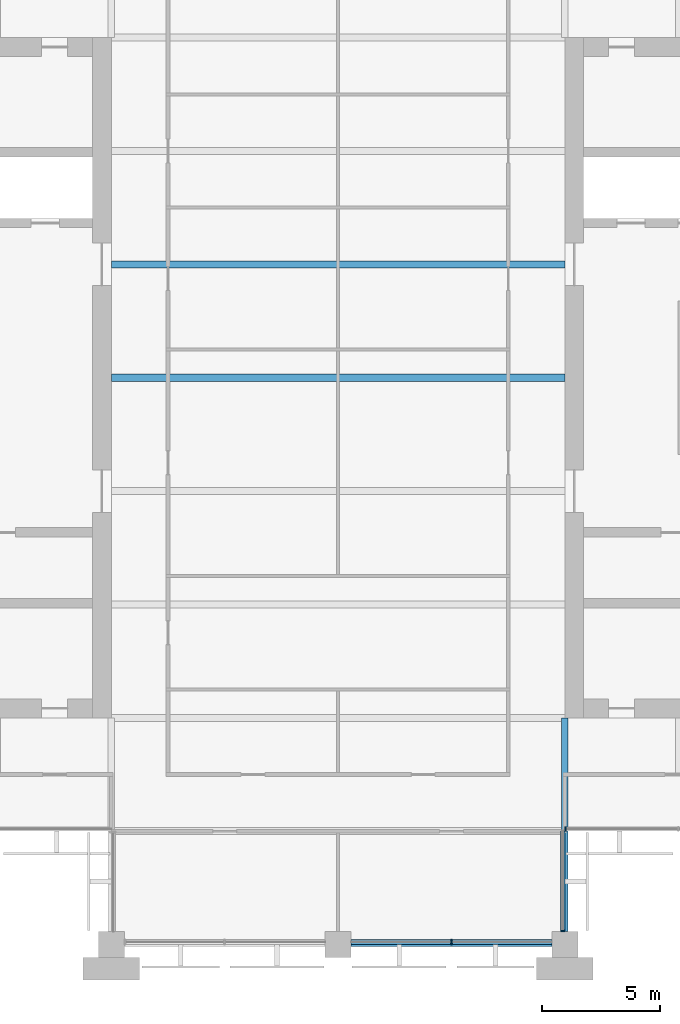
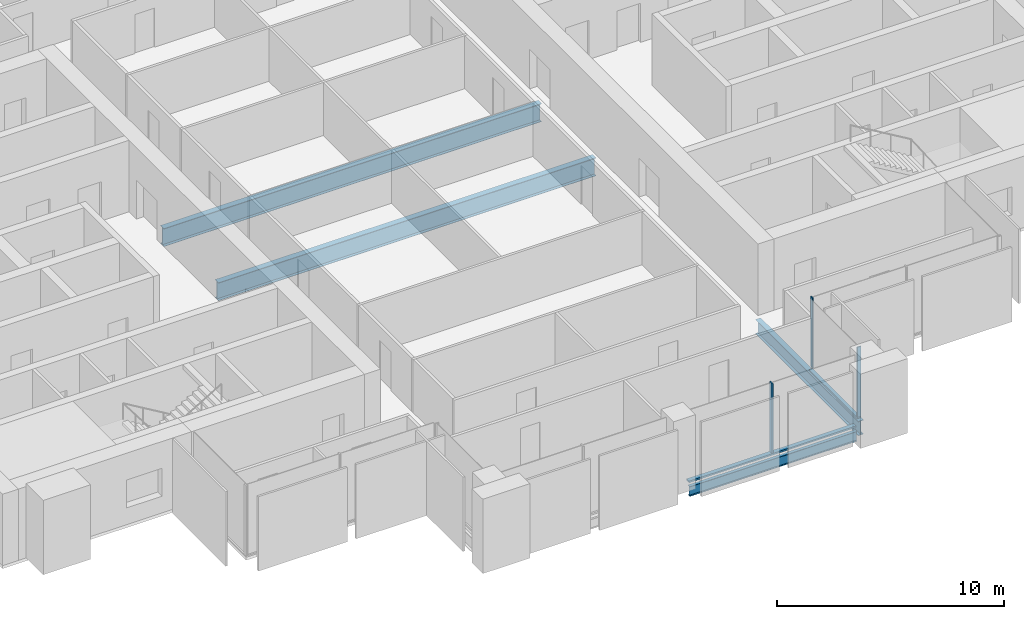
# One storey, part 3 of 13: 5 members, 4 beams, 3 elements without a shape of their own.
"""IFC4 building model written with IfcOpenShell, lengths in metres."""

from ifc_helpers import new_model, si_unit, direction, frame, origin, origin_2d, place, context, subcontext, project, spatial, rectangle, i_section, extrude, material, material_profile, profile_set, type_object, element, aggregate, save


model = new_model("IFC4")

# Units and contexts
model_context = context("Model", 3, precision=1e-05, world=origin(), true_north=direction((0.0, 1.0)))
body_context = subcontext(model_context, "Body", "Model", "MODEL_VIEW")
ifc_project = project(units=[si_unit("LENGTHUNIT", "METRE"), si_unit("AREAUNIT", "SQUARE_METRE"), si_unit("VOLUMEUNIT", "CUBIC_METRE"), si_unit("PLANEANGLEUNIT", "RADIAN"), si_unit("MASSUNIT", "GRAM", prefix="KILO")], contexts=[model_context])

# Site, building, storey
site_placement = place(None, origin())
site = spatial("IfcSite", under=ifc_project, at=site_placement, CompositionType="ELEMENT")
building_placement = place(site_placement, origin())
building = spatial("IfcBuilding", under=site, at=building_placement, Name="Baori Bourse Tower", CompositionType="ELEMENT")
storey_placement = place(building_placement, frame((0.0, 0.0, 205.199951171875)))
storey = spatial("IfcBuildingStorey", under=building, at=storey_placement, Name="L44", CompositionType="ELEMENT", Elevation=205.199951171875)

# Curtain wall, member
ifc_material_1 = material(Name="Pale anodised aluminium", Category="aluminium")
curtain_wall_type_1 = type_object("IfcCurtainWallType", Name="CW2 Curtain wall", PredefinedType="NOTDEFINED", material=ifc_material_1)
curtain_wall_1_placement = place(storey_placement, origin())
curtain_wall_1 = element("IfcCurtainWall", 1, at=curtain_wall_1_placement, inside=storey, type_object=curtain_wall_type_1, Name="Curtain wall CW2 L44 13", PredefinedType="NOTDEFINED")
ifc_material_2 = material(Name="Pale anodised aluminium", Category="aluminium")
ifc_material_profile_1 = material_profile(ifc_material_2, rectangle(XDim=0.179931640625, YDim=0.054931640625, at=origin_2d()), Name="Mullion 55x180")
ifc_profile_set_1 = profile_set([ifc_material_profile_1], Name="Pale anodised aluminium")
member_type_1 = type_object("IfcMemberType", Name="CW2 Curtain wall mullion", PredefinedType="MULLION", material=ifc_profile_set_1)
member_1_placement = place(storey_placement, frame((38.31005859375, 0.577392578125, 0.070068359375), z_axis=(0.0, 0.0, 1.0), x_axis=(-1.0, 0.0, 0.0)))
member_1 = element("IfcMember", 2, at=member_1_placement, type_object=member_type_1, Name="Curtain wall CW2 mullion", PredefinedType="MULLION", context=body_context, shape_type="SweptSolid", body=[
    extrude(rectangle(XDim=0.179931640625, YDim=0.054931640625, at=origin_2d()), origin(), (0.0, 0.0, 1.0), 3.77001953125),
])

curtain_wall_2_placement = place(storey_placement, origin())
curtain_wall_2 = element("IfcCurtainWall", 3, at=curtain_wall_2_placement, inside=storey, type_object=curtain_wall_type_1, Name="Curtain wall CW2 L44 14", PredefinedType="NOTDEFINED")
member_2_placement = place(storey_placement, frame((38.427490234375, 4.889892578125, 0.070068359375), z_axis=(0.0, 0.0, 1.0), x_axis=(0.0, 1.0, 0.0)))
member_2 = element("IfcMember", 4, at=member_2_placement, type_object=member_type_1, Name="Curtain wall CW2 mullion", PredefinedType="MULLION", context=body_context, shape_type="SweptSolid", body=[
    extrude(rectangle(XDim=0.179931640625, YDim=0.054931640625, at=origin_2d()), origin(), (0.0, 0.0, 1.0), 3.77001953125),
])
aggregate(curtain_wall_2, [member_2])

# Member
ifc_material_3 = material(Name="Pale anodised aluminium", Category="aluminium")
ifc_material_profile_2 = material_profile(ifc_material_3, rectangle(XDim=0.179931640625, YDim=0.070068359375, at=origin_2d()), Name="Transom 70x180")
ifc_profile_set_2 = profile_set([ifc_material_profile_2], Name="Pale anodised aluminium")
member_type_2 = type_object("IfcMemberType", Name="CW2 Curtain wall transom", PredefinedType="USERDEFINED", material=ifc_profile_set_2)
member_3_placement = place(storey_placement, frame((38.31005859375, 0.550048828125, 0.03515625), z_axis=(0.0, 1.0, 0.0), x_axis=(-1.0, 0.0, 0.0)))
member_3 = element("IfcMember", 5, at=member_3_placement, type_object=member_type_2, Name="Curtain wall CW2 sill rail", ObjectType="TRANSOM", PredefinedType="USERDEFINED", context=body_context, shape_type="SweptSolid", body=[
    extrude(rectangle(XDim=0.179931640625, YDim=0.070068359375, at=origin_2d()), origin(), (0.0, 0.0, 1.0), 4.25),
])

aggregate(curtain_wall_1, [member_3, member_1])

# Curtain wall, members
ifc_material_4 = material(Name="Pale anodised aluminium", Category="aluminium")
curtain_wall_type_2 = type_object("IfcCurtainWallType", Name="CW5 Curtain wall", PredefinedType="NOTDEFINED", material=ifc_material_4)
curtain_wall_3_placement = place(storey_placement, origin())
curtain_wall_3 = element("IfcCurtainWall", 6, at=curtain_wall_3_placement, inside=storey, type_object=curtain_wall_type_2, Name="Curtain wall CW5 L44 12", PredefinedType="NOTDEFINED")
ifc_material_5 = material(Name="Pale anodised aluminium", Category="aluminium")
ifc_material_profile_3 = material_profile(ifc_material_5, rectangle(XDim=0.219970703125, YDim=0.06494140625, at=origin_2d()), Name="Mullion 65x220")
ifc_profile_set_3 = profile_set([ifc_material_profile_3], Name="Pale anodised aluminium")
member_type_3 = type_object("IfcMemberType", Name="CW5 Curtain wall mullion", PredefinedType="MULLION", material=ifc_profile_set_3)
member_4_placement = place(storey_placement, frame((33.60009765625, 0.110107421875, 0.0849609375), z_axis=(0.0, 0.0, 1.0), x_axis=(0.0, 1.0, 0.0)))
member_4 = element("IfcMember", 7, at=member_4_placement, type_object=member_type_3, Name="Curtain wall CW5 mullion", PredefinedType="MULLION", context=body_context, shape_type="SweptSolid", body=[
    extrude(rectangle(XDim=0.219970703125, YDim=0.06494140625, at=origin_2d()), origin(), (0.0, 0.0, 1.0), 3.755126953125),
])
ifc_material_6 = material(Name="Pale anodised aluminium", Category="aluminium")
ifc_material_profile_4 = material_profile(ifc_material_6, rectangle(XDim=0.219970703125, YDim=0.0849609375, at=origin_2d()), Name="Transom 85x220")
ifc_profile_set_4 = profile_set([ifc_material_profile_4], Name="Pale anodised aluminium")
member_type_4 = type_object("IfcMemberType", Name="CW5 Curtain wall transom", PredefinedType="USERDEFINED", material=ifc_profile_set_4)
member_5_placement = place(storey_placement, frame((29.35009765625, 0.110107421875, 0.04248046875), z_axis=(1.0, 0.0, 0.0), x_axis=(0.0, 1.0, 0.0)))
member_5 = element("IfcMember", 8, at=member_5_placement, type_object=member_type_4, Name="Curtain wall CW5 sill rail", ObjectType="TRANSOM", PredefinedType="USERDEFINED", context=body_context, shape_type="SweptSolid", body=[
    extrude(rectangle(XDim=0.219970703125, YDim=0.0849609375, at=origin_2d()), origin(), (0.0, 0.0, 1.0), 8.5),
])
aggregate(curtain_wall_3, [member_5, member_4])

# Beams
ifc_material_7 = material(Name="Steel A992 Gr 50", Category="steel")
ifc_material_profile_5 = material_profile(ifc_material_7, i_section(OverallWidth=0.1650390625, OverallDepth=0.52587890625, WebThickness=0.0087890625, FlangeThickness=0.011474609375, at=origin_2d()), Name="W21x44")
ifc_profile_set_5 = profile_set([ifc_material_profile_5], Name="Steel A992 Gr 50")
beam_type_1 = type_object("IfcBeamType", Name="Edge beam W21x44", PredefinedType="BEAM", material=ifc_profile_set_5)
beam_1_placement = place(storey_placement, frame((29.35009765625, 0.0, -0.4228515625), z_axis=(1.0, 0.0, 0.0), x_axis=(0.0, 1.0, 0.0)))
element("IfcBeam", 9, at=beam_1_placement, inside=storey, type_object=beam_type_1, Name="Edge beam L44", PredefinedType="BEAM", context=body_context, shape_type="SweptSolid", body=[
    extrude(i_section(OverallWidth=0.1650390625, OverallDepth=0.52587890625, WebThickness=0.0087890625, FlangeThickness=0.011474609375, at=origin_2d()), origin(), (0.0, 0.0, 1.0), 8.5),
])
ifc_material_8 = material(Name="Steel A992 Gr 50", Category="steel")
ifc_material_profile_6 = material_profile(ifc_material_8, i_section(OverallWidth=0.2998046875, OverallDepth=0.97021484375, WebThickness=0.01611328125, FlangeThickness=0.02099609375, at=origin_2d()), Name="W40x149")
ifc_profile_set_6 = profile_set([ifc_material_profile_6], Name="Steel A992 Gr 50")
beam_type_2 = type_object("IfcBeamType", Name="Floor beam W40x149", PredefinedType="BEAM", material=ifc_profile_set_6)
for number, where, z_axis, x_axis, name in (
    (10, (19.199951171875, 24.0, -0.64501953125), (1.0, 0.0, 0.0), (0.0, 1.0, 0.0), "Floor beam L44"),
    (11, (19.199951171875, 28.800048828125, -0.64501953125), (1.0, 0.0, 0.0), (0.0, 1.0, 0.0), "Floor beam L44"),
):
    element("IfcBeam", number, at=place(storey_placement, frame(where, z_axis=z_axis, x_axis=x_axis)), inside=storey, type_object=beam_type_2, Name=name, PredefinedType="BEAM", context=body_context, shape_type="SweptSolid", body=[
        extrude(i_section(OverallWidth=0.2998046875, OverallDepth=0.97021484375, WebThickness=0.01611328125, FlangeThickness=0.02099609375, at=origin_2d()), origin(), (0.0, 0.0, 1.0), 19.199951171875),
    ])
ifc_material_9 = material(Name="Steel A992 Gr 50", Category="steel")
ifc_material_profile_7 = material_profile(ifc_material_9, i_section(OverallWidth=0.2666015625, OverallDepth=0.76953125, WebThickness=0.015625, FlangeThickness=0.025390625, at=origin_2d()), Name="W30x132")
ifc_profile_set_7 = profile_set([ifc_material_profile_7], Name="Steel A992 Gr 50")
beam_type_3 = type_object("IfcBeamType", Name="Girder W30x132", PredefinedType="BEAM", material=ifc_profile_set_7)
beam_2_placement = place(storey_placement, frame((38.39990234375, 0.550048828125, -0.544677734375), z_axis=(0.0, 1.0, 0.0), x_axis=(-1.0, 0.0, 0.0)))
element("IfcBeam", 12, at=beam_2_placement, inside=storey, type_object=beam_type_3, Name="Girder L44", PredefinedType="BEAM", context=body_context, shape_type="SweptSolid", body=[
    extrude(i_section(OverallWidth=0.2666015625, OverallDepth=0.76953125, WebThickness=0.015625, FlangeThickness=0.025390625, at=origin_2d()), origin(), (0.0, 0.0, 1.0), 9.050048828125),
])

save(model, "model.ifc")
